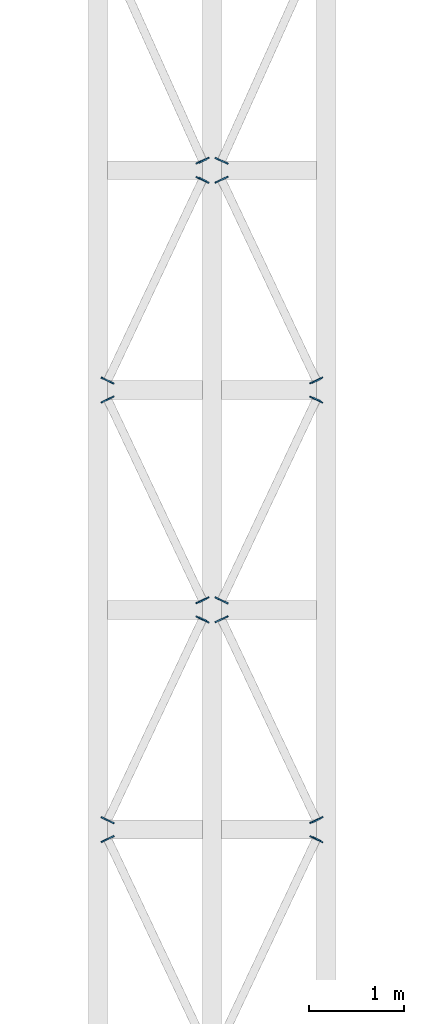
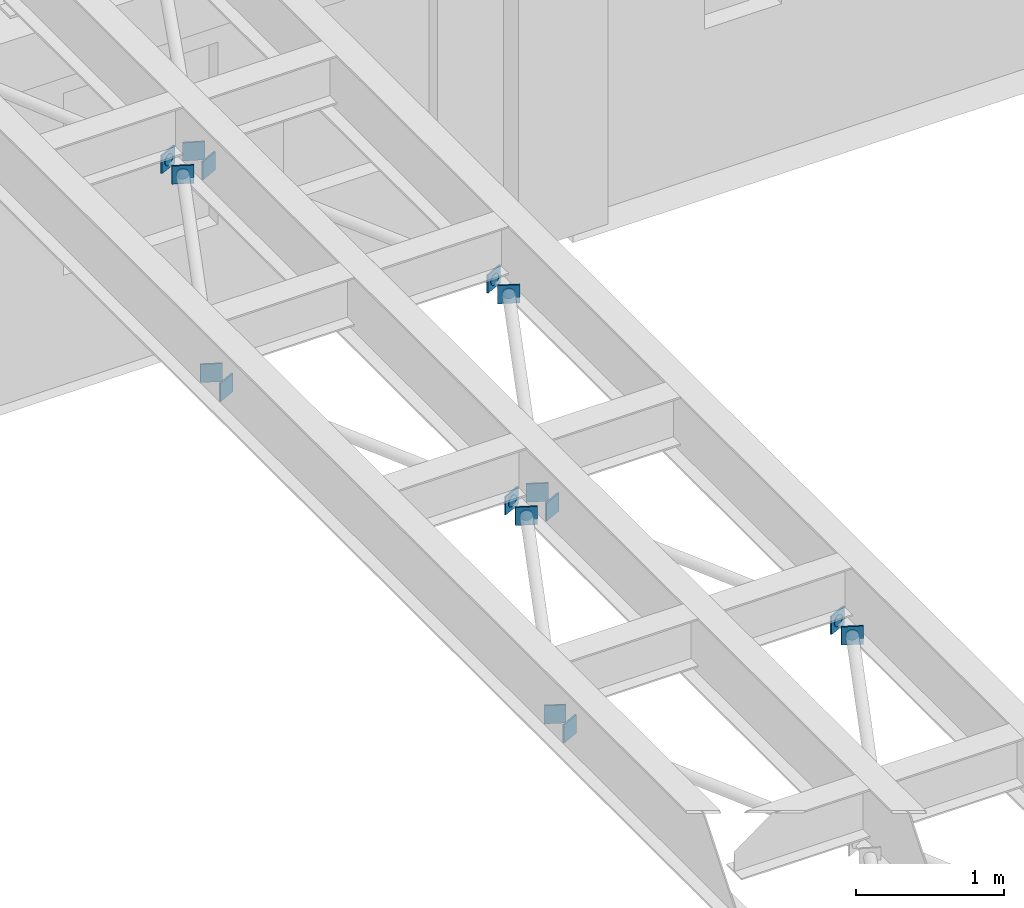
# One storey, part 81 of 103: 24 discrete accessories.
"""IFC4 building model written with IfcOpenShell, lengths in metres."""

from ifc_helpers import new_model, si_unit, direction, frame, origin, origin_2d, place, context, subcontext, project, spatial, rectangle, circle, extrude, material, material_profile, profile_set, type_object, element, save


model = new_model("IFC4")

# Units and contexts
model_context = context("Model", 3, precision=1e-05, world=origin(), true_north=direction((0.0, 1.0)))
body_context = subcontext(model_context, "Body", "Model", "MODEL_VIEW")
ifc_project = project(units=[si_unit("LENGTHUNIT", "METRE"), si_unit("AREAUNIT", "SQUARE_METRE"), si_unit("VOLUMEUNIT", "CUBIC_METRE"), si_unit("PLANEANGLEUNIT", "RADIAN"), si_unit("MASSUNIT", "GRAM", prefix="KILO")], contexts=[model_context])

# Site, building, storey
site_placement = place(None, origin())
site = spatial("IfcSite", under=ifc_project, at=site_placement, CompositionType="ELEMENT")
building_placement = place(site_placement, origin())
building = spatial("IfcBuilding", under=site, at=building_placement, Name="Laocheng Heights Fire and Rescue Headquarters", CompositionType="ELEMENT")
storey_placement = place(building_placement, frame((0.0, 0.0, 4.199951171875)))
storey = spatial("IfcBuildingStorey", under=building, at=storey_placement, Name="L01", CompositionType="ELEMENT", Elevation=4.199951171875)

# Discrete accessories
ifc_material_1 = material(Name="Steel Q355B", Category="steel")
ifc_material_profile_1 = material_profile(ifc_material_1, circle(Radius=0.04443359375, at=origin_2d()), Name="END CAP PLATE D89 x 8 FOR STEEL BRIDGE PLAN BRACE CHS 88.9x5")
ifc_profile_set_1 = profile_set([ifc_material_profile_1], Name="Steel Q355B")
discrete_accessory_type_1 = type_object("IfcDiscreteAccessoryType", Name="END CAP PLATE D89 x 8 FOR STEEL BRIDGE PLAN BRACE CHS 88.9x5", PredefinedType="BRACKET", material=ifc_profile_set_1)
for number, where, z_axis, x_axis, name in (
    (1, (8.89990234375, 31.0166015625, 3.4443359375), (0.422885465331, 0.906183139995, 0.0), (-0.906183139995, 0.422885465331, 0.0), "Cap plate at Bridge B1 plan bracing end 2"),
    (2, (8.9033203125, 31.20947265625, 3.4443359375), (-0.422885465331, 0.906183139995, 0.0), (-0.906183139995, -0.422885465331, 0.0), "Cap plate at Bridge B1 plan bracing end 1"),
    (3, (7.699951171875, 28.699951171875, 3.4443359375), (0.422885465331, 0.906183139995, 0.0), (-0.906183139995, 0.422885465331, 0.0), "Cap plate at Bridge B1 plan bracing end 2"),
):
    element("IfcDiscreteAccessory", number, at=place(storey_placement, frame(where, z_axis=z_axis, x_axis=x_axis)), inside=storey, type_object=discrete_accessory_type_1, Name=name, PredefinedType="BRACKET", context=body_context, shape_type="SweptSolid", body=[
        extrude(circle(Radius=0.04443359375, at=origin_2d()), origin(), (0.0, 0.0, 1.0), 0.008056640625),
    ])
discrete_accessory_1_placement = place(storey_placement, frame((7.703369140625, 28.892822265625, 3.4443359375), z_axis=(-0.434749065831, 0.900551636365, 0.0), x_axis=(-0.900551636365, -0.434749065831, 0.0)))
element("IfcDiscreteAccessory", 4, at=discrete_accessory_1_placement, inside=storey, type_object=discrete_accessory_type_1, Name="Cap plate at Bridge B1 plan bracing end 1", PredefinedType="BRACKET", context=body_context, shape_type="SweptSolid", body=[
    extrude(circle(Radius=0.04443359375, at=origin_2d()), origin(), (0.0, 0.0, 1.0), 0.0078125),
])
for number, where, z_axis, x_axis, name in (
    (5, (7.699951171875, 33.333251953125, 3.4443359375), (0.422885465331, 0.906183139995, 0.0), (-0.906183139995, 0.422885465331, 0.0), "Cap plate at Bridge B1 plan bracing end 2"),
    (6, (7.703369140625, 33.52587890625, 3.4443359375), (-0.422885465331, 0.906183139995, 0.0), (-0.906183139995, -0.422885465331, 0.0), "Cap plate at Bridge B1 plan bracing end 1"),
):
    element("IfcDiscreteAccessory", number, at=place(storey_placement, frame(where, z_axis=z_axis, x_axis=x_axis)), inside=storey, type_object=discrete_accessory_type_1, Name=name, PredefinedType="BRACKET", context=body_context, shape_type="SweptSolid", body=[
        extrude(circle(Radius=0.04443359375, at=origin_2d()), origin(), (0.0, 0.0, 1.0), 0.008056640625),
    ])
for number, where, z_axis, x_axis, name in (
    (7, (8.89990234375, 26.38330078125, 3.4443359375), (0.434749065831, 0.900551636365, 0.0), (-0.900551636365, 0.434749065831, 0.0), "Cap plate at Bridge B1 plan bracing end 2"),
    (8, (8.9033203125, 26.576171875, 3.4443359375), (-0.434749065831, 0.900551636365, 0.0), (-0.900551636365, -0.434749065831, 0.0), "Cap plate at Bridge B1 plan bracing end 1"),
):
    element("IfcDiscreteAccessory", number, at=place(storey_placement, frame(where, z_axis=z_axis, x_axis=x_axis)), inside=storey, type_object=discrete_accessory_type_1, Name=name, PredefinedType="BRACKET", context=body_context, shape_type="SweptSolid", body=[
        extrude(circle(Radius=0.04443359375, at=origin_2d()), origin(), (0.0, 0.0, 1.0), 0.0078125),
    ])
ifc_material_2 = material(Name="Steel Q355B, dark grey painted", Category="steel")
ifc_material_profile_2 = material_profile(ifc_material_2, rectangle(XDim=0.14990234375, YDim=0.14990234375, at=origin_2d()), Name="GUSSET PLATE 150 x 150 x 12 FOR STEEL BRIDGE PLAN BRACE CHS 88.9x5")
ifc_profile_set_2 = profile_set([ifc_material_profile_2], Name="Steel Q355B, dark grey painted")
discrete_accessory_type_2 = type_object("IfcDiscreteAccessoryType", Name="GUSSET PLATE 150 x 150 x 12 FOR STEEL BRIDGE PLAN BRACE CHS 88.9x5", PredefinedType="BRACKET", material=ifc_profile_set_2)
for number, where, z_axis, x_axis, name in (
    (9, (8.896484375, 31.009521484375, 3.4443359375), (0.430729586215, 0.902481037784, 0.0), (-0.902481037784, 0.430729586215, 0.0), "End plate at M2-Q end 2"),
    (10, (8.901611328125, 31.213134765625, 3.4443359375), (-0.430729586215, 0.902481037784, 0.0), (-0.902481037784, -0.430729586215, 0.0), "End plate at M2-Q end 1"),
    (11, (7.696533203125, 28.69287109375, 3.4443359375), (0.430729586215, 0.902481037784, 0.0), (-0.902481037784, 0.430729586215, 0.0), "End plate at M2-Q end 2"),
    (12, (7.70166015625, 28.896484375, 3.4443359375), (-0.430729586215, 0.902481037784, 0.0), (-0.902481037784, -0.430729586215, 0.0), "End plate at M2-Q end 1"),
    (13, (7.696533203125, 33.326171875, 3.4443359375), (0.430729586215, 0.902481037784, 0.0), (-0.902481037784, 0.430729586215, 0.0), "End plate at M2-Q end 2"),
):
    element("IfcDiscreteAccessory", number, at=place(storey_placement, frame(where, z_axis=z_axis, x_axis=x_axis)), inside=storey, type_object=discrete_accessory_type_2, Name=name, PredefinedType="BRACKET", context=body_context, shape_type="SweptSolid", body=[
        extrude(rectangle(XDim=0.14990234375, YDim=0.14990234375, at=origin_2d()), origin(), (0.0, 0.0, 1.0), 0.011962890625),
    ])
discrete_accessory_2_placement = place(storey_placement, frame((7.70166015625, 33.52978515625, 3.4443359375), z_axis=(-0.413802944301, 0.910366477463, 0.0), x_axis=(-0.910366477463, -0.413802944301, 0.0)))
element("IfcDiscreteAccessory", 14, at=discrete_accessory_2_placement, inside=storey, type_object=discrete_accessory_type_2, Name="End plate at M2-Q end 1", PredefinedType="BRACKET", context=body_context, shape_type="SweptSolid", body=[
    extrude(rectangle(XDim=0.14990234375, YDim=0.14990234375, at=origin_2d()), origin(), (0.0, 0.0, 1.0), 0.01171875),
])
discrete_accessory_3_placement = place(storey_placement, frame((8.896484375, 26.376220703125, 3.4443359375), z_axis=(0.430729586215, 0.902481037784, 0.0), x_axis=(-0.902481037784, 0.430729586215, 0.0)))
element("IfcDiscreteAccessory", 15, at=discrete_accessory_3_placement, inside=storey, type_object=discrete_accessory_type_2, Name="End plate at M2-Q end 2", PredefinedType="BRACKET", context=body_context, shape_type="SweptSolid", body=[
    extrude(rectangle(XDim=0.14990234375, YDim=0.14990234375, at=origin_2d()), origin(), (0.0, 0.0, 1.0), 0.011962890625),
])
discrete_accessory_4_placement = place(storey_placement, frame((8.901611328125, 26.57958984375, 3.4443359375), z_axis=(-0.422885465331, 0.906183139995, 0.0), x_axis=(-0.906183139995, -0.422885465331, 0.0)))
element("IfcDiscreteAccessory", 16, at=discrete_accessory_4_placement, inside=storey, type_object=discrete_accessory_type_2, Name="End plate at M2-Q end 1", PredefinedType="BRACKET", context=body_context, shape_type="SweptSolid", body=[
    extrude(rectangle(XDim=0.14990234375, YDim=0.14990234375, at=origin_2d()), origin(), (0.0, 0.0, 1.0), 0.01220703125),
])
ifc_material_3 = material(Name="Steel Q355B, dark grey painted", Category="steel")
ifc_material_profile_3 = material_profile(ifc_material_3, rectangle(XDim=0.14990234375, YDim=0.14990234375, at=origin_2d()), Name="GUSSET PLATE 150 x 150 x 13 FOR STEEL BRIDGE PLAN BRACE CHS 88.9x5")
ifc_profile_set_3 = profile_set([ifc_material_profile_3], Name="Steel Q355B, dark grey painted")
discrete_accessory_type_3 = type_object("IfcDiscreteAccessoryType", Name="GUSSET PLATE 150 x 150 x 13 FOR STEEL BRIDGE PLAN BRACE CHS 88.9x5", PredefinedType="BRACKET", material=ifc_profile_set_3)
for number, where, z_axis, x_axis, name in (
    (17, (7.89697265625, 28.893798828125, 3.4443359375), (0.432120180431, 0.901816028725, 0.0), (-0.901816028725, 0.432120180431, 0.0), "End plate at M2-Q end 1"),
    (18, (7.902587890625, 33.327880859375, 3.4443359375), (-0.432120180431, 0.901816028725, 0.0), (-0.901816028725, -0.432120180431, 0.0), "End plate at M2-Q end 2"),
):
    element("IfcDiscreteAccessory", number, at=place(storey_placement, frame(where, z_axis=z_axis, x_axis=x_axis)), inside=storey, type_object=discrete_accessory_type_3, Name=name, PredefinedType="BRACKET", context=body_context, shape_type="SweptSolid", body=[
        extrude(rectangle(XDim=0.14990234375, YDim=0.14990234375, at=origin_2d()), origin(), (0.0, 0.0, 1.0), 0.012939453125),
    ])
discrete_accessory_5_placement = place(storey_placement, frame((7.897216796875, 33.52685546875, 3.4443359375), z_axis=(0.409590402834, 0.912269533584, 0.0), x_axis=(-0.912269533584, 0.409590402834, 0.0)))
element("IfcDiscreteAccessory", 19, at=discrete_accessory_5_placement, inside=storey, type_object=discrete_accessory_type_3, Name="End plate at M2-Q end 1", PredefinedType="BRACKET", context=body_context, shape_type="SweptSolid", body=[
    extrude(rectangle(XDim=0.14990234375, YDim=0.14990234375, at=origin_2d()), origin(), (0.0, 0.0, 1.0), 0.01318359375),
])
for number, where, z_axis, x_axis, name in (
    (20, (6.70263671875, 26.3779296875, 3.4443359375), (-0.432120180431, 0.901816028725, 0.0), (-0.901816028725, -0.432120180431, 0.0), "End plate at M2-Q end 2"),
    (21, (6.697021484375, 26.576904296875, 3.4443359375), (0.432120180431, 0.901816028725, 0.0), (-0.901816028725, 0.432120180431, 0.0), "End plate at M2-Q end 1"),
    (22, (6.70263671875, 31.01123046875, 3.4443359375), (-0.432120180431, 0.901816028725, 0.0), (-0.901816028725, -0.432120180431, 0.0), "End plate at M2-Q end 2"),
    (23, (6.697021484375, 31.21044921875, 3.4443359375), (0.432120180431, 0.901816028725, 0.0), (-0.901816028725, 0.432120180431, 0.0), "End plate at M2-Q end 1"),
    (24, (7.902587890625, 28.694580078125, 3.4443359375), (-0.432120180431, 0.901816028725, 0.0), (-0.901816028725, -0.432120180431, 0.0), "End plate at M2-Q end 2"),
):
    element("IfcDiscreteAccessory", number, at=place(storey_placement, frame(where, z_axis=z_axis, x_axis=x_axis)), inside=storey, type_object=discrete_accessory_type_3, Name=name, PredefinedType="BRACKET", context=body_context, shape_type="SweptSolid", body=[
        extrude(rectangle(XDim=0.14990234375, YDim=0.14990234375, at=origin_2d()), origin(), (0.0, 0.0, 1.0), 0.012939453125),
    ])

save(model, "model.ifc")
